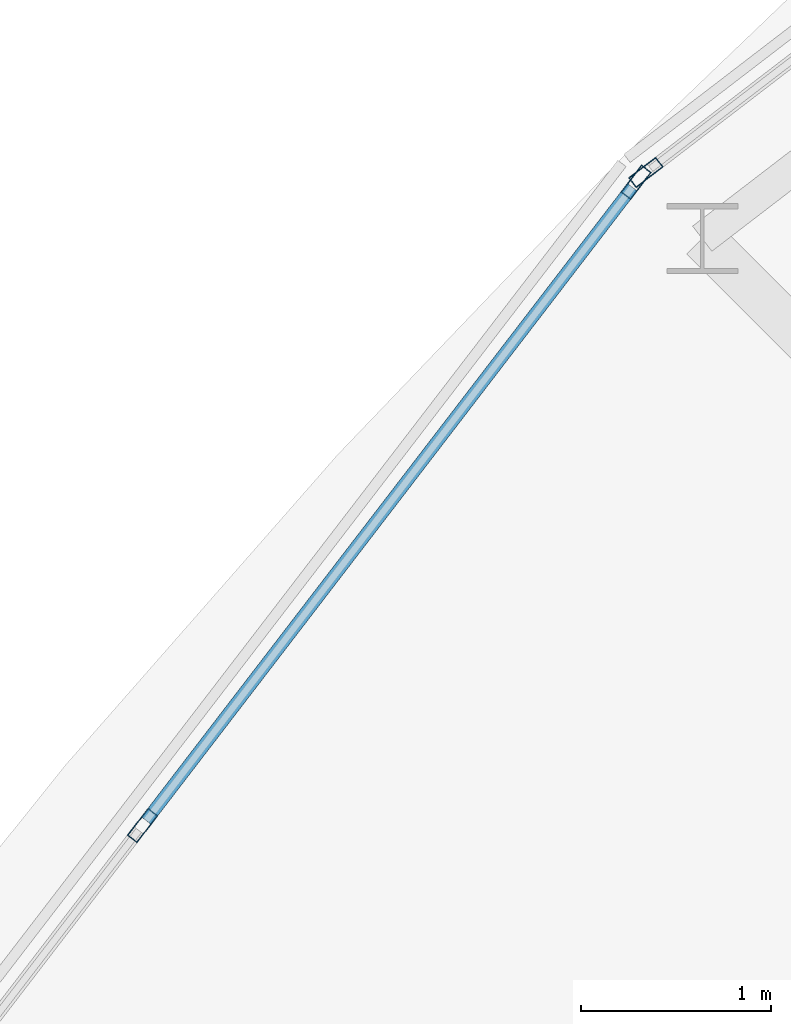
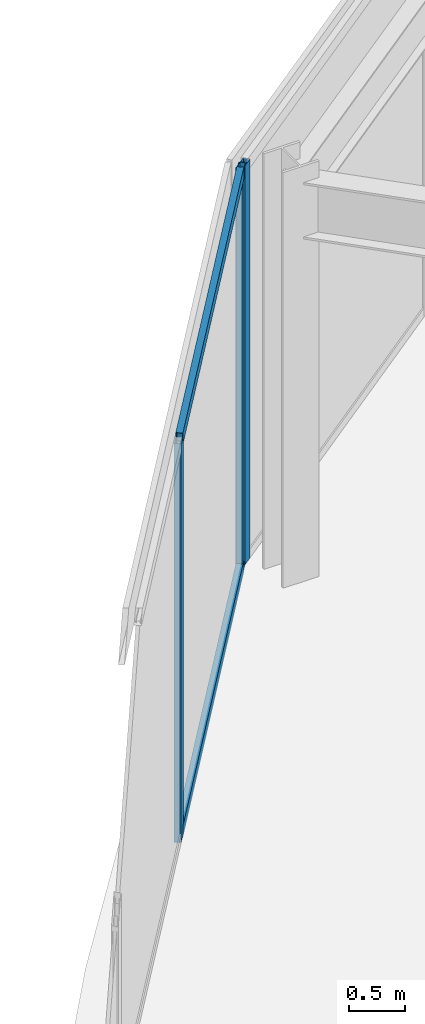
# One storey, part 63 of 157: 5 members, 2 elements without a shape of their own.
"""IFC4 building model written with IfcOpenShell, lengths in metres."""

from ifc_helpers import new_model, si_unit, direction, frame, origin, origin_2d, place, context, subcontext, project, spatial, hollow_rectangle, extrude, material, material_profile, profile_set, type_object, element, aggregate, save


model = new_model("IFC4")

# Units and contexts
model_context = context("Model", 3, precision=1e-05, world=origin(), true_north=direction((0.0, 1.0)))
body_context = subcontext(model_context, "Body", "Model", "MODEL_VIEW")
ifc_project = project(units=[si_unit("LENGTHUNIT", "METRE"), si_unit("AREAUNIT", "SQUARE_METRE"), si_unit("VOLUMEUNIT", "CUBIC_METRE"), si_unit("PLANEANGLEUNIT", "RADIAN"), si_unit("MASSUNIT", "GRAM", prefix="KILO")], contexts=[model_context])

# Site, building, storey
site_placement = place(None, origin())
site = spatial("IfcSite", under=ifc_project, at=site_placement, CompositionType="ELEMENT")
building_placement = place(site_placement, origin())
building = spatial("IfcBuilding", under=site, at=building_placement, Name="Almandine Court Research Institute", CompositionType="ELEMENT")
storey_placement = place(building_placement, frame((0.0, 0.0, 5.25)))
storey = spatial("IfcBuildingStorey", under=building, at=storey_placement, Name="L01", CompositionType="ELEMENT", Elevation=5.25)

# Curtain wall, member
ifc_material_1 = material(Name="Unitised Curtain Wall Framing and Solar Glazing", Category="glass")
curtain_wall_type = type_object("IfcCurtainWallType", Name="CW-CWJ-19", PredefinedType="USERDEFINED", material=ifc_material_1)
curtain_wall_1_placement = place(storey_placement, origin())
curtain_wall_1 = element("IfcCurtainWall", 1, at=curtain_wall_1_placement, inside=storey, type_object=curtain_wall_type, Name="L01 Stacked-Ring Drum Outer Solar Jali Screen 08", ObjectType="SOLAR JALI SCREEN", PredefinedType="USERDEFINED")
ifc_material_2 = material(Name="Anodised Aluminium AW-6063-T6", Category="aluminium")
ifc_material_profile_1 = material_profile(ifc_material_2, hollow_rectangle(XDim=0.06494140625, YDim=0.179931640625, WallThickness=0.00390625, at=origin_2d()), Name="ALU RHS 65x180x4")
ifc_profile_set_1 = profile_set([ifc_material_profile_1], Name="Anodised Aluminium AW-6063-T6")
member_type_1 = type_object("IfcMemberType", Name="CWMul-65x180", PredefinedType="MULLION", material=ifc_profile_set_1)
member_1_placement = place(storey_placement, frame((52.125732421875, 90.92578125, 0.0), z_axis=(0.0, 0.0, 1.0), x_axis=(-0.608723313303, 0.793382586046, 0.0)))
member_1 = element("IfcMember", 2, at=member_1_placement, type_object=member_type_1, Name="CWJ-19 mullion 1", PredefinedType="MULLION", context=body_context, shape_type="SweptSolid", body=[
    extrude(hollow_rectangle(XDim=0.06494140625, YDim=0.179931640625, WallThickness=0.00390625, at=origin_2d()), origin(), (0.0, 0.0, 1.0), 4.3701171875),
])
aggregate(curtain_wall_1, [member_1])

# Curtain wall, members
curtain_wall_2_placement = place(storey_placement, origin())
curtain_wall_2 = element("IfcCurtainWall", 3, at=curtain_wall_2_placement, inside=storey, type_object=curtain_wall_type, Name="L01 Stacked-Ring Drum Outer Solar Jali Screen 09", ObjectType="SOLAR JALI SCREEN", PredefinedType="USERDEFINED")
member_2_placement = place(storey_placement, frame((49.48095703125, 87.494384765625, 0.0), z_axis=(0.0, 0.0, 1.0), x_axis=(-0.793382586046, 0.608723313303, 0.0)))
member_2 = element("IfcMember", 4, at=member_2_placement, type_object=member_type_1, Name="CWJ-19 mullion 3", PredefinedType="MULLION", context=body_context, shape_type="SweptSolid", body=[
    extrude(hollow_rectangle(XDim=0.06494140625, YDim=0.179931640625, WallThickness=0.00390625, at=origin_2d()), origin(), (0.0, 0.0, 1.0), 4.3701171875),
])
member_3_placement = place(storey_placement, frame((52.07421875, 90.874267578125, 0.0), z_axis=(0.0, 0.0, 1.0), x_axis=(-0.793382586046, 0.608723313303, 0.0)))
member_3 = element("IfcMember", 5, at=member_3_placement, type_object=member_type_1, Name="CWJ-19 mullion 4", PredefinedType="MULLION", context=body_context, shape_type="SweptSolid", body=[
    extrude(hollow_rectangle(XDim=0.06494140625, YDim=0.179931640625, WallThickness=0.00390625, at=origin_2d()), origin(), (0.0, 0.0, 1.0), 4.3701171875),
])
ifc_material_profile_2 = material_profile(ifc_material_2, hollow_rectangle(XDim=0.06494140625, YDim=0.1298828125, WallThickness=0.00390625, at=origin_2d()), Name="ALU RHS 65x130x4")
ifc_profile_set_2 = profile_set([ifc_material_profile_2], Name="Anodised Aluminium AW-6063-T6")
member_type_2 = type_object("IfcMemberType", Name="CWTrn-65x130", PredefinedType="NOTDEFINED", material=ifc_profile_set_2)
member_4_placement = place(storey_placement, frame((49.500732421875, 87.52001953125, 0.032470703125), z_axis=(0.608725941364, 0.793380569658, 0.0), x_axis=(-0.793380569658, 0.608725941364, 0.0)))
member_4 = element("IfcMember", 6, at=member_4_placement, type_object=member_type_2, Name="CWJ-19 transom 3.1", ObjectType="TRANSOM", PredefinedType="USERDEFINED", context=body_context, shape_type="SweptSolid", body=[
    extrude(hollow_rectangle(XDim=0.06494140625, YDim=0.1298828125, WallThickness=0.00390625, at=origin_2d()), origin(), (0.0, 0.0, 1.0), 4.195068359375),
])
member_5_placement = place(storey_placement, frame((49.500732421875, 87.52001953125, 4.33740234375), z_axis=(0.608725941364, 0.793380569658, 0.0), x_axis=(-0.793380569658, 0.608725941364, 0.0)))
member_5 = element("IfcMember", 7, at=member_5_placement, type_object=member_type_2, Name="CWJ-19 transom 3.2", ObjectType="TRANSOM", PredefinedType="USERDEFINED", context=body_context, shape_type="SweptSolid", body=[
    extrude(hollow_rectangle(XDim=0.06494140625, YDim=0.1298828125, WallThickness=0.00390625, at=origin_2d()), origin(), (0.0, 0.0, 1.0), 4.195068359375),
])
aggregate(curtain_wall_2, [member_2, member_3, member_4, member_5])

save(model, "model.ifc")
